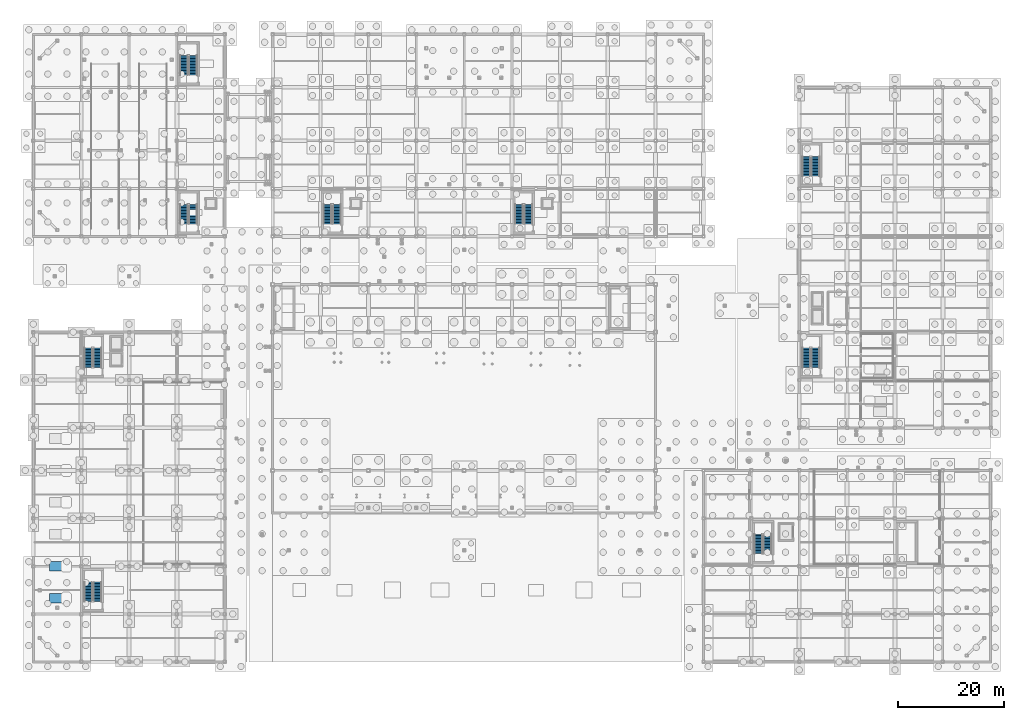
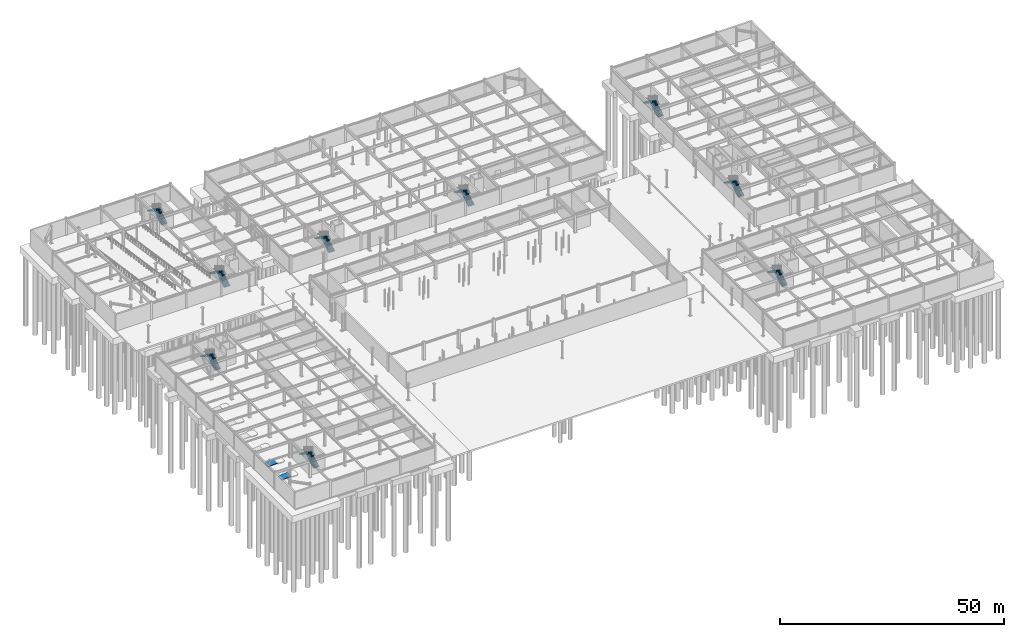
# One storey, part 58 of 74: 18 stair flights, 2 ramp flights, 11 elements without a shape of their own.
"""IFC4 building model written with IfcOpenShell, lengths in metres."""

from ifc_helpers import new_model, si_unit, direction, frame, origin, place, context, subcontext, project, spatial, polyline, outline, extrude, material, layer, layer_set, type_object, element, aggregate, save


model = new_model("IFC4")

# Units and contexts
model_context = context("Model", 3, precision=1e-05, world=origin(), true_north=direction((0.0, 1.0)))
body_context = subcontext(model_context, "Body", "Model", "MODEL_VIEW")
ifc_project = project(units=[si_unit("LENGTHUNIT", "METRE"), si_unit("AREAUNIT", "SQUARE_METRE"), si_unit("VOLUMEUNIT", "CUBIC_METRE"), si_unit("PLANEANGLEUNIT", "RADIAN"), si_unit("MASSUNIT", "GRAM", prefix="KILO")], contexts=[model_context])

# Site, building, storey
site_placement = place(None, origin())
site = spatial("IfcSite", under=ifc_project, at=site_placement, CompositionType="ELEMENT")
building_placement = place(site_placement, origin())
building = spatial("IfcBuilding", under=site, at=building_placement, Name="Suzunagisa Mobility Hub", CompositionType="ELEMENT")
storey_placement = place(building_placement, frame((0.0, 0.0, -4.800048828125)))
storey = spatial("IfcBuildingStorey", under=building, at=storey_placement, Name="B1", CompositionType="ELEMENT", Elevation=-4.800048828125)

# Stair, stair flights
ifc_material_1 = material(Name="Concrete C35/45", Category="concrete")
stair_type_1 = type_object("IfcStairType", Name="Dog-Leg Core Escape Stair ST-01 W1560", PredefinedType="HALF_TURN_STAIR", material=ifc_material_1)
stair_1_placement = place(storey_placement, origin())
stair_1 = element("IfcStair", 1, at=stair_1_placement, inside=storey, type_object=stair_type_1, Name="B1 Core C1 Escape Stair ST-01", PredefinedType="HALF_TURN_STAIR")
stair_flight_type_1 = type_object("IfcStairFlightType", Name="Dog-Leg Core Stair Flight ST-01-F W1560", PredefinedType="STRAIGHT", material=ifc_material_1)
stair_flight_1_placement = place(storey_placement, frame((12.06005859375, 55.360107421875, 0.0), z_axis=(0.0, 0.0, 1.0), x_axis=(0.0, 1.0, 0.0)))
stair_flight_1 = element("IfcStairFlight", 2, at=stair_flight_1_placement, type_object=stair_flight_type_1, Name="ST-01 flight 1", NumberOfRisers=14, NumberOfTreads=13, PredefinedType="STRAIGHT", RiserHeight=0.171428571, TreadLength=0.28, context=body_context, shape_type="SweptSolid", body=[
    extrude(outline(polyline([(0.0, 0.0), (0.0, 0.17138671875), (0.280029296875, 0.17138671875), (0.280029296875, 0.3427734375), (0.56005859375, 0.3427734375), (0.56005859375, 0.514404296875), (0.840087890625, 0.514404296875), (0.840087890625, 0.685791015625), (1.1201171875, 0.685791015625), (1.1201171875, 0.857177734375), (1.39990234375, 0.857177734375), (1.39990234375, 1.028564453125), (1.679931640625, 1.028564453125), (1.679931640625, 1.199951171875), (1.9599609375, 1.199951171875), (1.9599609375, 1.371337890625), (2.239990234375, 1.371337890625), (2.239990234375, 1.54296875), (2.52001953125, 1.54296875), (2.52001953125, 1.71435546875), (2.800048828125, 1.71435546875), (2.800048828125, 1.8857421875), (3.080078125, 1.8857421875), (3.080078125, 2.05712890625), (3.360107421875, 2.05712890625), (3.360107421875, 2.228515625), (3.639892578125, 2.228515625), (3.639892578125, 2.39990234375), (3.639892578125, 2.041015625), (0.30615234375, 0.0), (0.0, 0.0)])), frame((0.0, 0.780029296875, 0.0), z_axis=(0.0, -1.0, 0.0), x_axis=(1.0, 0.0, 0.0)), (0.0, 0.0, 1.0), 1.56005859375),
])
stair_flight_2_placement = place(storey_placement, frame((10.340087890625, 59.0, 2.400146484375), z_axis=(0.0, 0.0, 1.0), x_axis=(0.0, -1.0, 0.0)))
stair_flight_2 = element("IfcStairFlight", 3, at=stair_flight_2_placement, type_object=stair_flight_type_1, Name="ST-01 flight 2", NumberOfRisers=14, NumberOfTreads=13, PredefinedType="STRAIGHT", RiserHeight=0.171428571, TreadLength=0.28, context=body_context, shape_type="SweptSolid", body=[
    extrude(outline(polyline([(0.0, 0.0), (0.0, 0.17138671875), (0.280029296875, 0.17138671875), (0.280029296875, 0.3427734375), (0.56005859375, 0.3427734375), (0.56005859375, 0.514404296875), (0.840087890625, 0.514404296875), (0.840087890625, 0.685791015625), (1.1201171875, 0.685791015625), (1.1201171875, 0.857177734375), (1.39990234375, 0.857177734375), (1.39990234375, 1.028564453125), (1.679931640625, 1.028564453125), (1.679931640625, 1.199951171875), (1.9599609375, 1.199951171875), (1.9599609375, 1.371337890625), (2.239990234375, 1.371337890625), (2.239990234375, 1.54296875), (2.52001953125, 1.54296875), (2.52001953125, 1.71435546875), (2.800048828125, 1.71435546875), (2.800048828125, 1.8857421875), (3.080078125, 1.8857421875), (3.080078125, 2.05712890625), (3.360107421875, 2.05712890625), (3.360107421875, 2.228515625), (3.639892578125, 2.228515625), (3.639892578125, 2.39990234375), (3.639892578125, 2.041015625), (0.30615234375, 0.0), (0.0, 0.0)])), frame((0.0, 0.780029296875, 0.0), z_axis=(0.0, -1.0, 0.0), x_axis=(1.0, 0.0, 0.0)), (0.0, 0.0, 1.0), 1.56005859375),
])
aggregate(stair_1, [stair_flight_1, stair_flight_2])

stair_type_2 = type_object("IfcStairType", Name="Dog-Leg Core Escape Stair ST-02 W1560", PredefinedType="HALF_TURN_STAIR", material=ifc_material_1)
stair_2_placement = place(storey_placement, origin())
stair_2 = element("IfcStair", 4, at=stair_2_placement, inside=storey, type_object=stair_type_2, Name="B1 Core C1B Escape Stair ST-02", PredefinedType="HALF_TURN_STAIR")
stair_flight_type_2 = type_object("IfcStairFlightType", Name="Dog-Leg Core Stair Flight ST-02-F W1560", PredefinedType="STRAIGHT", material=ifc_material_1)
stair_flight_3_placement = place(storey_placement, frame((12.06005859375, 11.360107421875, 0.0), z_axis=(0.0, 0.0, 1.0), x_axis=(0.0, 1.0, 0.0)))
stair_flight_3 = element("IfcStairFlight", 5, at=stair_flight_3_placement, type_object=stair_flight_type_2, Name="ST-02 flight 1", NumberOfRisers=14, NumberOfTreads=13, PredefinedType="STRAIGHT", RiserHeight=0.171428571, TreadLength=0.28, context=body_context, shape_type="SweptSolid", body=[
    extrude(outline(polyline([(0.0, 0.0), (0.0, 0.17138671875), (0.280029296875, 0.17138671875), (0.280029296875, 0.3427734375), (0.56005859375, 0.3427734375), (0.56005859375, 0.514404296875), (0.840087890625, 0.514404296875), (0.840087890625, 0.685791015625), (1.1201171875, 0.685791015625), (1.1201171875, 0.857177734375), (1.39990234375, 0.857177734375), (1.39990234375, 1.028564453125), (1.679931640625, 1.028564453125), (1.679931640625, 1.199951171875), (1.9599609375, 1.199951171875), (1.9599609375, 1.371337890625), (2.239990234375, 1.371337890625), (2.239990234375, 1.54296875), (2.52001953125, 1.54296875), (2.52001953125, 1.71435546875), (2.800048828125, 1.71435546875), (2.800048828125, 1.8857421875), (3.080078125, 1.8857421875), (3.080078125, 2.05712890625), (3.360107421875, 2.05712890625), (3.360107421875, 2.228515625), (3.639892578125, 2.228515625), (3.639892578125, 2.39990234375), (3.639892578125, 2.041015625), (0.30615234375, 0.0), (0.0, 0.0)])), frame((0.0, 0.780029296875, 0.0), z_axis=(0.0, -1.0, 0.0), x_axis=(1.0, 0.0, 0.0)), (0.0, 0.0, 1.0), 1.56005859375),
])
stair_flight_4_placement = place(storey_placement, frame((10.340087890625, 15.0, 2.400146484375), z_axis=(0.0, 0.0, 1.0), x_axis=(0.0, -1.0, 0.0)))
stair_flight_4 = element("IfcStairFlight", 6, at=stair_flight_4_placement, type_object=stair_flight_type_2, Name="ST-02 flight 2", NumberOfRisers=14, NumberOfTreads=13, PredefinedType="STRAIGHT", RiserHeight=0.171428571, TreadLength=0.28, context=body_context, shape_type="SweptSolid", body=[
    extrude(outline(polyline([(0.0, 0.0), (0.0, 0.17138671875), (0.280029296875, 0.17138671875), (0.280029296875, 0.3427734375), (0.56005859375, 0.3427734375), (0.56005859375, 0.514404296875), (0.840087890625, 0.514404296875), (0.840087890625, 0.685791015625), (1.1201171875, 0.685791015625), (1.1201171875, 0.857177734375), (1.39990234375, 0.857177734375), (1.39990234375, 1.028564453125), (1.679931640625, 1.028564453125), (1.679931640625, 1.199951171875), (1.9599609375, 1.199951171875), (1.9599609375, 1.371337890625), (2.239990234375, 1.371337890625), (2.239990234375, 1.54296875), (2.52001953125, 1.54296875), (2.52001953125, 1.71435546875), (2.800048828125, 1.71435546875), (2.800048828125, 1.8857421875), (3.080078125, 1.8857421875), (3.080078125, 2.05712890625), (3.360107421875, 2.05712890625), (3.360107421875, 2.228515625), (3.639892578125, 2.228515625), (3.639892578125, 2.39990234375), (3.639892578125, 2.041015625), (0.30615234375, 0.0), (0.0, 0.0)])), frame((0.0, 0.780029296875, 0.0), z_axis=(0.0, -1.0, 0.0), x_axis=(1.0, 0.0, 0.0)), (0.0, 0.0, 1.0), 1.56005859375),
])
aggregate(stair_2, [stair_flight_3, stair_flight_4])

stair_type_3 = type_object("IfcStairType", Name="Dog-Leg Core Escape Stair ST-05 W1560", PredefinedType="HALF_TURN_STAIR", material=ifc_material_1)
stair_3_placement = place(storey_placement, origin())
stair_3 = element("IfcStair", 7, at=stair_3_placement, inside=storey, type_object=stair_type_3, Name="B1 Core C6 Escape Stair ST-05", PredefinedType="HALF_TURN_STAIR")
stair_flight_type_3 = type_object("IfcStairFlightType", Name="Dog-Leg Core Stair Flight ST-05-F W1560", PredefinedType="STRAIGHT", material=ifc_material_1)
stair_flight_5_placement = place(storey_placement, frame((30.06005859375, 82.360107421875, 0.0), z_axis=(0.0, 0.0, 1.0), x_axis=(0.0, 1.0, 0.0)))
stair_flight_5 = element("IfcStairFlight", 8, at=stair_flight_5_placement, type_object=stair_flight_type_3, Name="ST-05 flight 1", NumberOfRisers=14, NumberOfTreads=13, PredefinedType="STRAIGHT", RiserHeight=0.171428571, TreadLength=0.28, context=body_context, shape_type="SweptSolid", body=[
    extrude(outline(polyline([(0.0, 0.0), (0.0, 0.17138671875), (0.280029296875, 0.17138671875), (0.280029296875, 0.3427734375), (0.56005859375, 0.3427734375), (0.56005859375, 0.514404296875), (0.840087890625, 0.514404296875), (0.840087890625, 0.685791015625), (1.1201171875, 0.685791015625), (1.1201171875, 0.857177734375), (1.39990234375, 0.857177734375), (1.39990234375, 1.028564453125), (1.679931640625, 1.028564453125), (1.679931640625, 1.199951171875), (1.9599609375, 1.199951171875), (1.9599609375, 1.371337890625), (2.239990234375, 1.371337890625), (2.239990234375, 1.54296875), (2.52001953125, 1.54296875), (2.52001953125, 1.71435546875), (2.800048828125, 1.71435546875), (2.800048828125, 1.8857421875), (3.080078125, 1.8857421875), (3.080078125, 2.05712890625), (3.360107421875, 2.05712890625), (3.360107421875, 2.228515625), (3.639892578125, 2.228515625), (3.639892578125, 2.39990234375), (3.639892578125, 2.041015625), (0.30615234375, 0.0), (0.0, 0.0)])), frame((0.0, 0.780029296875, 0.0), z_axis=(0.0, -1.0, 0.0), x_axis=(1.0, 0.0, 0.0)), (0.0, 0.0, 1.0), 1.56005859375),
])
stair_flight_6_placement = place(storey_placement, frame((28.340087890625, 86.0, 2.400146484375), z_axis=(0.0, 0.0, 1.0), x_axis=(0.0, -1.0, 0.0)))
stair_flight_6 = element("IfcStairFlight", 9, at=stair_flight_6_placement, type_object=stair_flight_type_3, Name="ST-05 flight 2", NumberOfRisers=14, NumberOfTreads=13, PredefinedType="STRAIGHT", RiserHeight=0.171428571, TreadLength=0.28, context=body_context, shape_type="SweptSolid", body=[
    extrude(outline(polyline([(0.0, 0.0), (0.0, 0.17138671875), (0.280029296875, 0.17138671875), (0.280029296875, 0.3427734375), (0.56005859375, 0.3427734375), (0.56005859375, 0.514404296875), (0.840087890625, 0.514404296875), (0.840087890625, 0.685791015625), (1.1201171875, 0.685791015625), (1.1201171875, 0.857177734375), (1.39990234375, 0.857177734375), (1.39990234375, 1.028564453125), (1.679931640625, 1.028564453125), (1.679931640625, 1.199951171875), (1.9599609375, 1.199951171875), (1.9599609375, 1.371337890625), (2.239990234375, 1.371337890625), (2.239990234375, 1.54296875), (2.52001953125, 1.54296875), (2.52001953125, 1.71435546875), (2.800048828125, 1.71435546875), (2.800048828125, 1.8857421875), (3.080078125, 1.8857421875), (3.080078125, 2.05712890625), (3.360107421875, 2.05712890625), (3.360107421875, 2.228515625), (3.639892578125, 2.228515625), (3.639892578125, 2.39990234375), (3.639892578125, 2.041015625), (0.30615234375, 0.0), (0.0, 0.0)])), frame((0.0, 0.780029296875, 0.0), z_axis=(0.0, -1.0, 0.0), x_axis=(1.0, 0.0, 0.0)), (0.0, 0.0, 1.0), 1.56005859375),
])
aggregate(stair_3, [stair_flight_5, stair_flight_6])

stair_type_4 = type_object("IfcStairType", Name="Dog-Leg Core Escape Stair ST-06 W1560", PredefinedType="HALF_TURN_STAIR", material=ifc_material_1)
stair_4_placement = place(storey_placement, origin())
stair_4 = element("IfcStair", 10, at=stair_4_placement, inside=storey, type_object=stair_type_4, Name="B1 Core C6B Escape Stair ST-06", PredefinedType="HALF_TURN_STAIR")
stair_flight_type_4 = type_object("IfcStairFlightType", Name="Dog-Leg Core Stair Flight ST-06-F W1560", PredefinedType="STRAIGHT", material=ifc_material_1)
stair_flight_7_placement = place(storey_placement, frame((30.06005859375, 110.360107421875, 0.0), z_axis=(0.0, 0.0, 1.0), x_axis=(0.0, 1.0, 0.0)))
stair_flight_7 = element("IfcStairFlight", 11, at=stair_flight_7_placement, type_object=stair_flight_type_4, Name="ST-06 flight 1", NumberOfRisers=14, NumberOfTreads=13, PredefinedType="STRAIGHT", RiserHeight=0.171428571, TreadLength=0.28, context=body_context, shape_type="SweptSolid", body=[
    extrude(outline(polyline([(0.0, 0.0), (0.0, 0.17138671875), (0.280029296875, 0.17138671875), (0.280029296875, 0.3427734375), (0.56005859375, 0.3427734375), (0.56005859375, 0.514404296875), (0.840087890625, 0.514404296875), (0.840087890625, 0.685791015625), (1.1201171875, 0.685791015625), (1.1201171875, 0.857177734375), (1.39990234375, 0.857177734375), (1.39990234375, 1.028564453125), (1.679931640625, 1.028564453125), (1.679931640625, 1.199951171875), (1.9599609375, 1.199951171875), (1.9599609375, 1.371337890625), (2.239990234375, 1.371337890625), (2.239990234375, 1.54296875), (2.52001953125, 1.54296875), (2.52001953125, 1.71435546875), (2.800048828125, 1.71435546875), (2.800048828125, 1.8857421875), (3.080078125, 1.8857421875), (3.080078125, 2.05712890625), (3.360107421875, 2.05712890625), (3.360107421875, 2.228515625), (3.639892578125, 2.228515625), (3.639892578125, 2.39990234375), (3.639892578125, 2.041015625), (0.30615234375, 0.0), (0.0, 0.0)])), frame((0.0, 0.780029296875, 0.0), z_axis=(0.0, -1.0, 0.0), x_axis=(1.0, 0.0, 0.0)), (0.0, 0.0, 1.0), 1.56005859375),
])
stair_flight_8_placement = place(storey_placement, frame((28.340087890625, 114.0, 2.400146484375), z_axis=(0.0, 0.0, 1.0), x_axis=(0.0, -1.0, 0.0)))
stair_flight_8 = element("IfcStairFlight", 12, at=stair_flight_8_placement, type_object=stair_flight_type_4, Name="ST-06 flight 2", NumberOfRisers=14, NumberOfTreads=13, PredefinedType="STRAIGHT", RiserHeight=0.171428571, TreadLength=0.28, context=body_context, shape_type="SweptSolid", body=[
    extrude(outline(polyline([(0.0, 0.0), (0.0, 0.17138671875), (0.280029296875, 0.17138671875), (0.280029296875, 0.3427734375), (0.56005859375, 0.3427734375), (0.56005859375, 0.514404296875), (0.840087890625, 0.514404296875), (0.840087890625, 0.685791015625), (1.1201171875, 0.685791015625), (1.1201171875, 0.857177734375), (1.39990234375, 0.857177734375), (1.39990234375, 1.028564453125), (1.679931640625, 1.028564453125), (1.679931640625, 1.199951171875), (1.9599609375, 1.199951171875), (1.9599609375, 1.371337890625), (2.239990234375, 1.371337890625), (2.239990234375, 1.54296875), (2.52001953125, 1.54296875), (2.52001953125, 1.71435546875), (2.800048828125, 1.71435546875), (2.800048828125, 1.8857421875), (3.080078125, 1.8857421875), (3.080078125, 2.05712890625), (3.360107421875, 2.05712890625), (3.360107421875, 2.228515625), (3.639892578125, 2.228515625), (3.639892578125, 2.39990234375), (3.639892578125, 2.041015625), (0.30615234375, 0.0), (0.0, 0.0)])), frame((0.0, 0.780029296875, 0.0), z_axis=(0.0, -1.0, 0.0), x_axis=(1.0, 0.0, 0.0)), (0.0, 0.0, 1.0), 1.56005859375),
])
aggregate(stair_4, [stair_flight_7, stair_flight_8])

stair_type_5 = type_object("IfcStairType", Name="Dog-Leg Core Escape Stair ST-07 W1560", PredefinedType="HALF_TURN_STAIR", material=ifc_material_1)
stair_5_placement = place(storey_placement, origin())
stair_5 = element("IfcStair", 13, at=stair_5_placement, inside=storey, type_object=stair_type_5, Name="B1 Core C3 Escape Stair ST-07", PredefinedType="HALF_TURN_STAIR")
stair_flight_type_5 = type_object("IfcStairFlightType", Name="Dog-Leg Core Stair Flight ST-07-F W1560", PredefinedType="STRAIGHT", material=ifc_material_1)
stair_flight_9_placement = place(storey_placement, frame((57.06005859375, 82.360107421875, 0.0), z_axis=(0.0, 0.0, 1.0), x_axis=(0.0, 1.0, 0.0)))
stair_flight_9 = element("IfcStairFlight", 14, at=stair_flight_9_placement, type_object=stair_flight_type_5, Name="ST-07 flight 1", NumberOfRisers=14, NumberOfTreads=13, PredefinedType="STRAIGHT", RiserHeight=0.171428571, TreadLength=0.28, context=body_context, shape_type="SweptSolid", body=[
    extrude(outline(polyline([(0.0, 0.0), (0.0, 0.17138671875), (0.280029296875, 0.17138671875), (0.280029296875, 0.3427734375), (0.56005859375, 0.3427734375), (0.56005859375, 0.514404296875), (0.840087890625, 0.514404296875), (0.840087890625, 0.685791015625), (1.1201171875, 0.685791015625), (1.1201171875, 0.857177734375), (1.39990234375, 0.857177734375), (1.39990234375, 1.028564453125), (1.679931640625, 1.028564453125), (1.679931640625, 1.199951171875), (1.9599609375, 1.199951171875), (1.9599609375, 1.371337890625), (2.239990234375, 1.371337890625), (2.239990234375, 1.54296875), (2.52001953125, 1.54296875), (2.52001953125, 1.71435546875), (2.800048828125, 1.71435546875), (2.800048828125, 1.8857421875), (3.080078125, 1.8857421875), (3.080078125, 2.05712890625), (3.360107421875, 2.05712890625), (3.360107421875, 2.228515625), (3.639892578125, 2.228515625), (3.639892578125, 2.39990234375), (3.639892578125, 2.041015625), (0.30615234375, 0.0), (0.0, 0.0)])), frame((0.0, 0.780029296875, 0.0), z_axis=(0.0, -1.0, 0.0), x_axis=(1.0, 0.0, 0.0)), (0.0, 0.0, 1.0), 1.56005859375),
])
stair_flight_10_placement = place(storey_placement, frame((55.340087890625, 86.0, 2.400146484375), z_axis=(0.0, 0.0, 1.0), x_axis=(0.0, -1.0, 0.0)))
stair_flight_10 = element("IfcStairFlight", 15, at=stair_flight_10_placement, type_object=stair_flight_type_5, Name="ST-07 flight 2", NumberOfRisers=14, NumberOfTreads=13, PredefinedType="STRAIGHT", RiserHeight=0.171428571, TreadLength=0.28, context=body_context, shape_type="SweptSolid", body=[
    extrude(outline(polyline([(0.0, 0.0), (0.0, 0.17138671875), (0.280029296875, 0.17138671875), (0.280029296875, 0.3427734375), (0.56005859375, 0.3427734375), (0.56005859375, 0.514404296875), (0.840087890625, 0.514404296875), (0.840087890625, 0.685791015625), (1.1201171875, 0.685791015625), (1.1201171875, 0.857177734375), (1.39990234375, 0.857177734375), (1.39990234375, 1.028564453125), (1.679931640625, 1.028564453125), (1.679931640625, 1.199951171875), (1.9599609375, 1.199951171875), (1.9599609375, 1.371337890625), (2.239990234375, 1.371337890625), (2.239990234375, 1.54296875), (2.52001953125, 1.54296875), (2.52001953125, 1.71435546875), (2.800048828125, 1.71435546875), (2.800048828125, 1.8857421875), (3.080078125, 1.8857421875), (3.080078125, 2.05712890625), (3.360107421875, 2.05712890625), (3.360107421875, 2.228515625), (3.639892578125, 2.228515625), (3.639892578125, 2.39990234375), (3.639892578125, 2.041015625), (0.30615234375, 0.0), (0.0, 0.0)])), frame((0.0, 0.780029296875, 0.0), z_axis=(0.0, -1.0, 0.0), x_axis=(1.0, 0.0, 0.0)), (0.0, 0.0, 1.0), 1.56005859375),
])
aggregate(stair_5, [stair_flight_9, stair_flight_10])

stair_type_6 = type_object("IfcStairType", Name="Dog-Leg Core Escape Stair ST-08 W1560", PredefinedType="HALF_TURN_STAIR", material=ifc_material_1)
stair_6_placement = place(storey_placement, origin())
stair_6 = element("IfcStair", 16, at=stair_6_placement, inside=storey, type_object=stair_type_6, Name="B1 Core C4 Escape Stair ST-08", PredefinedType="HALF_TURN_STAIR")
stair_flight_type_6 = type_object("IfcStairFlightType", Name="Dog-Leg Core Stair Flight ST-08-F W1560", PredefinedType="STRAIGHT", material=ifc_material_1)
stair_flight_11_placement = place(storey_placement, frame((93.06005859375, 82.360107421875, 0.0), z_axis=(0.0, 0.0, 1.0), x_axis=(0.0, 1.0, 0.0)))
stair_flight_11 = element("IfcStairFlight", 17, at=stair_flight_11_placement, type_object=stair_flight_type_6, Name="ST-08 flight 1", NumberOfRisers=14, NumberOfTreads=13, PredefinedType="STRAIGHT", RiserHeight=0.171428571, TreadLength=0.28, context=body_context, shape_type="SweptSolid", body=[
    extrude(outline(polyline([(0.0, 0.0), (0.0, 0.17138671875), (0.280029296875, 0.17138671875), (0.280029296875, 0.3427734375), (0.56005859375, 0.3427734375), (0.56005859375, 0.514404296875), (0.840087890625, 0.514404296875), (0.840087890625, 0.685791015625), (1.1201171875, 0.685791015625), (1.1201171875, 0.857177734375), (1.39990234375, 0.857177734375), (1.39990234375, 1.028564453125), (1.679931640625, 1.028564453125), (1.679931640625, 1.199951171875), (1.9599609375, 1.199951171875), (1.9599609375, 1.371337890625), (2.239990234375, 1.371337890625), (2.239990234375, 1.54296875), (2.52001953125, 1.54296875), (2.52001953125, 1.71435546875), (2.800048828125, 1.71435546875), (2.800048828125, 1.8857421875), (3.080078125, 1.8857421875), (3.080078125, 2.05712890625), (3.360107421875, 2.05712890625), (3.360107421875, 2.228515625), (3.639892578125, 2.228515625), (3.639892578125, 2.39990234375), (3.639892578125, 2.041015625), (0.30615234375, 0.0), (0.0, 0.0)])), frame((0.0, 0.780029296875, 0.0), z_axis=(0.0, -1.0, 0.0), x_axis=(1.0, 0.0, 0.0)), (0.0, 0.0, 1.0), 1.56005859375),
])
stair_flight_12_placement = place(storey_placement, frame((91.340087890625, 86.0, 2.400146484375), z_axis=(0.0, 0.0, 1.0), x_axis=(0.0, -1.0, 0.0)))
stair_flight_12 = element("IfcStairFlight", 18, at=stair_flight_12_placement, type_object=stair_flight_type_6, Name="ST-08 flight 2", NumberOfRisers=14, NumberOfTreads=13, PredefinedType="STRAIGHT", RiserHeight=0.171428571, TreadLength=0.28, context=body_context, shape_type="SweptSolid", body=[
    extrude(outline(polyline([(0.0, 0.0), (0.0, 0.17138671875), (0.280029296875, 0.17138671875), (0.280029296875, 0.3427734375), (0.56005859375, 0.3427734375), (0.56005859375, 0.514404296875), (0.840087890625, 0.514404296875), (0.840087890625, 0.685791015625), (1.1201171875, 0.685791015625), (1.1201171875, 0.857177734375), (1.39990234375, 0.857177734375), (1.39990234375, 1.028564453125), (1.679931640625, 1.028564453125), (1.679931640625, 1.199951171875), (1.9599609375, 1.199951171875), (1.9599609375, 1.371337890625), (2.239990234375, 1.371337890625), (2.239990234375, 1.54296875), (2.52001953125, 1.54296875), (2.52001953125, 1.71435546875), (2.800048828125, 1.71435546875), (2.800048828125, 1.8857421875), (3.080078125, 1.8857421875), (3.080078125, 2.05712890625), (3.360107421875, 2.05712890625), (3.360107421875, 2.228515625), (3.639892578125, 2.228515625), (3.639892578125, 2.39990234375), (3.639892578125, 2.041015625), (0.30615234375, 0.0), (0.0, 0.0)])), frame((0.0, 0.780029296875, 0.0), z_axis=(0.0, -1.0, 0.0), x_axis=(1.0, 0.0, 0.0)), (0.0, 0.0, 1.0), 1.56005859375),
])
aggregate(stair_6, [stair_flight_11, stair_flight_12])

stair_type_7 = type_object("IfcStairType", Name="Dog-Leg Core Escape Stair ST-09 W1560", PredefinedType="HALF_TURN_STAIR", material=ifc_material_1)
stair_7_placement = place(storey_placement, origin())
stair_7 = element("IfcStair", 19, at=stair_7_placement, inside=storey, type_object=stair_type_7, Name="B1 Core C7 Escape Stair ST-09", PredefinedType="HALF_TURN_STAIR")
stair_flight_type_7 = type_object("IfcStairFlightType", Name="Dog-Leg Core Stair Flight ST-09-F W1560", PredefinedType="STRAIGHT", material=ifc_material_1)
stair_flight_13_placement = place(storey_placement, frame((138.06005859375, 20.360107421875, 0.0), z_axis=(0.0, 0.0, 1.0), x_axis=(0.0, 1.0, 0.0)))
stair_flight_13 = element("IfcStairFlight", 20, at=stair_flight_13_placement, type_object=stair_flight_type_7, Name="ST-09 flight 1", NumberOfRisers=14, NumberOfTreads=13, PredefinedType="STRAIGHT", RiserHeight=0.171428571, TreadLength=0.28, context=body_context, shape_type="SweptSolid", body=[
    extrude(outline(polyline([(0.0, 0.0), (0.0, 0.17138671875), (0.280029296875, 0.17138671875), (0.280029296875, 0.3427734375), (0.56005859375, 0.3427734375), (0.56005859375, 0.514404296875), (0.840087890625, 0.514404296875), (0.840087890625, 0.685791015625), (1.1201171875, 0.685791015625), (1.1201171875, 0.857177734375), (1.39990234375, 0.857177734375), (1.39990234375, 1.028564453125), (1.679931640625, 1.028564453125), (1.679931640625, 1.199951171875), (1.9599609375, 1.199951171875), (1.9599609375, 1.371337890625), (2.239990234375, 1.371337890625), (2.239990234375, 1.54296875), (2.52001953125, 1.54296875), (2.52001953125, 1.71435546875), (2.800048828125, 1.71435546875), (2.800048828125, 1.8857421875), (3.080078125, 1.8857421875), (3.080078125, 2.05712890625), (3.360107421875, 2.05712890625), (3.360107421875, 2.228515625), (3.639892578125, 2.228515625), (3.639892578125, 2.39990234375), (3.639892578125, 2.041015625), (0.30615234375, 0.0), (0.0, 0.0)])), frame((0.0, 0.780029296875, 0.0), z_axis=(0.0, -1.0, 0.0), x_axis=(1.0, 0.0, 0.0)), (0.0, 0.0, 1.0), 1.56005859375),
])
stair_flight_14_placement = place(storey_placement, frame((136.340087890625, 24.0, 2.400146484375), z_axis=(0.0, 0.0, 1.0), x_axis=(0.0, -1.0, 0.0)))
stair_flight_14 = element("IfcStairFlight", 21, at=stair_flight_14_placement, type_object=stair_flight_type_7, Name="ST-09 flight 2", NumberOfRisers=14, NumberOfTreads=13, PredefinedType="STRAIGHT", RiserHeight=0.171428571, TreadLength=0.28, context=body_context, shape_type="SweptSolid", body=[
    extrude(outline(polyline([(0.0, 0.0), (0.0, 0.17138671875), (0.280029296875, 0.17138671875), (0.280029296875, 0.3427734375), (0.56005859375, 0.3427734375), (0.56005859375, 0.514404296875), (0.840087890625, 0.514404296875), (0.840087890625, 0.685791015625), (1.1201171875, 0.685791015625), (1.1201171875, 0.857177734375), (1.39990234375, 0.857177734375), (1.39990234375, 1.028564453125), (1.679931640625, 1.028564453125), (1.679931640625, 1.199951171875), (1.9599609375, 1.199951171875), (1.9599609375, 1.371337890625), (2.239990234375, 1.371337890625), (2.239990234375, 1.54296875), (2.52001953125, 1.54296875), (2.52001953125, 1.71435546875), (2.800048828125, 1.71435546875), (2.800048828125, 1.8857421875), (3.080078125, 1.8857421875), (3.080078125, 2.05712890625), (3.360107421875, 2.05712890625), (3.360107421875, 2.228515625), (3.639892578125, 2.228515625), (3.639892578125, 2.39990234375), (3.639892578125, 2.041015625), (0.30615234375, 0.0), (0.0, 0.0)])), frame((0.0, 0.780029296875, 0.0), z_axis=(0.0, -1.0, 0.0), x_axis=(1.0, 0.0, 0.0)), (0.0, 0.0, 1.0), 1.56005859375),
])
aggregate(stair_7, [stair_flight_13, stair_flight_14])

stair_type_8 = type_object("IfcStairType", Name="Dog-Leg Core Escape Stair ST-11 W1560", PredefinedType="HALF_TURN_STAIR", material=ifc_material_1)
stair_8_placement = place(storey_placement, origin())
stair_8 = element("IfcStair", 22, at=stair_8_placement, inside=storey, type_object=stair_type_8, Name="B1 Core C5 Escape Stair ST-11", PredefinedType="HALF_TURN_STAIR")
stair_flight_type_8 = type_object("IfcStairFlightType", Name="Dog-Leg Core Stair Flight ST-11-F W1560", PredefinedType="STRAIGHT", material=ifc_material_1)
stair_flight_15_placement = place(storey_placement, frame((147.06005859375, 55.360107421875, 0.0), z_axis=(0.0, 0.0, 1.0), x_axis=(0.0, 1.0, 0.0)))
stair_flight_15 = element("IfcStairFlight", 23, at=stair_flight_15_placement, type_object=stair_flight_type_8, Name="ST-11 flight 1", NumberOfRisers=14, NumberOfTreads=13, PredefinedType="STRAIGHT", RiserHeight=0.171428571, TreadLength=0.28, context=body_context, shape_type="SweptSolid", body=[
    extrude(outline(polyline([(0.0, 0.0), (0.0, 0.17138671875), (0.280029296875, 0.17138671875), (0.280029296875, 0.3427734375), (0.56005859375, 0.3427734375), (0.56005859375, 0.514404296875), (0.840087890625, 0.514404296875), (0.840087890625, 0.685791015625), (1.1201171875, 0.685791015625), (1.1201171875, 0.857177734375), (1.39990234375, 0.857177734375), (1.39990234375, 1.028564453125), (1.679931640625, 1.028564453125), (1.679931640625, 1.199951171875), (1.9599609375, 1.199951171875), (1.9599609375, 1.371337890625), (2.239990234375, 1.371337890625), (2.239990234375, 1.54296875), (2.52001953125, 1.54296875), (2.52001953125, 1.71435546875), (2.800048828125, 1.71435546875), (2.800048828125, 1.8857421875), (3.080078125, 1.8857421875), (3.080078125, 2.05712890625), (3.360107421875, 2.05712890625), (3.360107421875, 2.228515625), (3.639892578125, 2.228515625), (3.639892578125, 2.39990234375), (3.639892578125, 2.041015625), (0.30615234375, 0.0), (0.0, 0.0)])), frame((0.0, 0.780029296875, 0.0), z_axis=(0.0, -1.0, 0.0), x_axis=(1.0, 0.0, 0.0)), (0.0, 0.0, 1.0), 1.56005859375),
])
stair_flight_16_placement = place(storey_placement, frame((145.340087890625, 59.0, 2.400146484375), z_axis=(0.0, 0.0, 1.0), x_axis=(0.0, -1.0, 0.0)))
stair_flight_16 = element("IfcStairFlight", 24, at=stair_flight_16_placement, type_object=stair_flight_type_8, Name="ST-11 flight 2", NumberOfRisers=14, NumberOfTreads=13, PredefinedType="STRAIGHT", RiserHeight=0.171428571, TreadLength=0.28, context=body_context, shape_type="SweptSolid", body=[
    extrude(outline(polyline([(0.0, 0.0), (0.0, 0.17138671875), (0.280029296875, 0.17138671875), (0.280029296875, 0.3427734375), (0.56005859375, 0.3427734375), (0.56005859375, 0.514404296875), (0.840087890625, 0.514404296875), (0.840087890625, 0.685791015625), (1.1201171875, 0.685791015625), (1.1201171875, 0.857177734375), (1.39990234375, 0.857177734375), (1.39990234375, 1.028564453125), (1.679931640625, 1.028564453125), (1.679931640625, 1.199951171875), (1.9599609375, 1.199951171875), (1.9599609375, 1.371337890625), (2.239990234375, 1.371337890625), (2.239990234375, 1.54296875), (2.52001953125, 1.54296875), (2.52001953125, 1.71435546875), (2.800048828125, 1.71435546875), (2.800048828125, 1.8857421875), (3.080078125, 1.8857421875), (3.080078125, 2.05712890625), (3.360107421875, 2.05712890625), (3.360107421875, 2.228515625), (3.639892578125, 2.228515625), (3.639892578125, 2.39990234375), (3.639892578125, 2.041015625), (0.30615234375, 0.0), (0.0, 0.0)])), frame((0.0, 0.780029296875, 0.0), z_axis=(0.0, -1.0, 0.0), x_axis=(1.0, 0.0, 0.0)), (0.0, 0.0, 1.0), 1.56005859375),
])
aggregate(stair_8, [stair_flight_15, stair_flight_16])

stair_type_9 = type_object("IfcStairType", Name="Dog-Leg Core Escape Stair ST-12 W1560", PredefinedType="HALF_TURN_STAIR", material=ifc_material_1)
stair_9_placement = place(storey_placement, origin())
stair_9 = element("IfcStair", 25, at=stair_9_placement, inside=storey, type_object=stair_type_9, Name="B1 Core C5B Escape Stair ST-12", PredefinedType="HALF_TURN_STAIR")
stair_flight_type_9 = type_object("IfcStairFlightType", Name="Dog-Leg Core Stair Flight ST-12-F W1560", PredefinedType="STRAIGHT", material=ifc_material_1)
stair_flight_17_placement = place(storey_placement, frame((147.06005859375, 91.360107421875, 0.0), z_axis=(0.0, 0.0, 1.0), x_axis=(0.0, 1.0, 0.0)))
stair_flight_17 = element("IfcStairFlight", 26, at=stair_flight_17_placement, type_object=stair_flight_type_9, Name="ST-12 flight 1", NumberOfRisers=14, NumberOfTreads=13, PredefinedType="STRAIGHT", RiserHeight=0.171428571, TreadLength=0.28, context=body_context, shape_type="SweptSolid", body=[
    extrude(outline(polyline([(0.0, 0.0), (0.0, 0.17138671875), (0.280029296875, 0.17138671875), (0.280029296875, 0.3427734375), (0.56005859375, 0.3427734375), (0.56005859375, 0.514404296875), (0.840087890625, 0.514404296875), (0.840087890625, 0.685791015625), (1.1201171875, 0.685791015625), (1.1201171875, 0.857177734375), (1.39990234375, 0.857177734375), (1.39990234375, 1.028564453125), (1.679931640625, 1.028564453125), (1.679931640625, 1.199951171875), (1.9599609375, 1.199951171875), (1.9599609375, 1.371337890625), (2.239990234375, 1.371337890625), (2.239990234375, 1.54296875), (2.52001953125, 1.54296875), (2.52001953125, 1.71435546875), (2.800048828125, 1.71435546875), (2.800048828125, 1.8857421875), (3.080078125, 1.8857421875), (3.080078125, 2.05712890625), (3.360107421875, 2.05712890625), (3.360107421875, 2.228515625), (3.639892578125, 2.228515625), (3.639892578125, 2.39990234375), (3.639892578125, 2.041015625), (0.30615234375, 0.0), (0.0, 0.0)])), frame((0.0, 0.780029296875, 0.0), z_axis=(0.0, -1.0, 0.0), x_axis=(1.0, 0.0, 0.0)), (0.0, 0.0, 1.0), 1.56005859375),
])
stair_flight_18_placement = place(storey_placement, frame((145.340087890625, 95.0, 2.400146484375), z_axis=(0.0, 0.0, 1.0), x_axis=(0.0, -1.0, 0.0)))
stair_flight_18 = element("IfcStairFlight", 27, at=stair_flight_18_placement, type_object=stair_flight_type_9, Name="ST-12 flight 2", NumberOfRisers=14, NumberOfTreads=13, PredefinedType="STRAIGHT", RiserHeight=0.171428571, TreadLength=0.28, context=body_context, shape_type="SweptSolid", body=[
    extrude(outline(polyline([(0.0, 0.0), (0.0, 0.17138671875), (0.280029296875, 0.17138671875), (0.280029296875, 0.3427734375), (0.56005859375, 0.3427734375), (0.56005859375, 0.514404296875), (0.840087890625, 0.514404296875), (0.840087890625, 0.685791015625), (1.1201171875, 0.685791015625), (1.1201171875, 0.857177734375), (1.39990234375, 0.857177734375), (1.39990234375, 1.028564453125), (1.679931640625, 1.028564453125), (1.679931640625, 1.199951171875), (1.9599609375, 1.199951171875), (1.9599609375, 1.371337890625), (2.239990234375, 1.371337890625), (2.239990234375, 1.54296875), (2.52001953125, 1.54296875), (2.52001953125, 1.71435546875), (2.800048828125, 1.71435546875), (2.800048828125, 1.8857421875), (3.080078125, 1.8857421875), (3.080078125, 2.05712890625), (3.360107421875, 2.05712890625), (3.360107421875, 2.228515625), (3.639892578125, 2.228515625), (3.639892578125, 2.39990234375), (3.639892578125, 2.041015625), (0.30615234375, 0.0), (0.0, 0.0)])), frame((0.0, 0.780029296875, 0.0), z_axis=(0.0, -1.0, 0.0), x_axis=(1.0, 0.0, 0.0)), (0.0, 0.0, 1.0), 1.56005859375),
])
aggregate(stair_9, [stair_flight_17, stair_flight_18])

# Ramp, ramp flight
ifc_material_2 = material(Name="Concrete C30/37", Category="concrete")
ramp_type = type_object("IfcRampType", Name="Barrier-Free Pedestrian Ramp PR-STR", PredefinedType="STRAIGHT_RUN_RAMP", material=ifc_material_2)
ramp_1_placement = place(storey_placement, origin())
ramp_1 = element("IfcRamp", 28, at=ramp_1_placement, inside=storey, type_object=ramp_type, Name="Barrier-Free Cycle Vault Threshold Ramp PR-01", PredefinedType="STRAIGHT_RUN_RAMP")
ifc_layer = layer(ifc_material_2, 0.199951171875)
ifc_layer_set = layer_set([ifc_layer], Name="Concrete C30/37")
ramp_flight_type = type_object("IfcRampFlightType", Name="Barrier-Free Ramp Flight PRF-01", PredefinedType="STRAIGHT", material=ifc_layer_set)
ramp_flight_1_placement = place(storey_placement, frame((3.0, 12.0, 0.0), z_axis=(0.0, 0.0, 1.0), x_axis=(1.0, 0.0, 0.0)))
ramp_flight_1 = element("IfcRampFlight", 29, at=ramp_flight_1_placement, type_object=ramp_flight_type, Name="Barrier-Free Ramp Flight PR-01-F1", PredefinedType="STRAIGHT", context=body_context, shape_type="SweptSolid", body=[
    extrude(outline(polyline([(0.0, 0.0), (2.39990234375, 0.199951171875), (2.39990234375, 0.0), (0.0, -0.199951171875), (0.0, 0.0)])), frame((0.0, 0.89990234375, 0.0), z_axis=(0.0, -1.0, 0.0), x_axis=(1.0, 0.0, 0.0)), (0.0, 0.0, 1.0), 1.800048828125),
])
aggregate(ramp_1, [ramp_flight_1])

ramp_2_placement = place(storey_placement, origin())
ramp_2 = element("IfcRamp", 30, at=ramp_2_placement, inside=storey, type_object=ramp_type, Name="Barrier-Free Cycle Vault Threshold Ramp PR-02", PredefinedType="STRAIGHT_RUN_RAMP")
ramp_flight_2_placement = place(storey_placement, frame((3.0, 18.0, 0.0), z_axis=(0.0, 0.0, 1.0), x_axis=(1.0, 0.0, 0.0)))
ramp_flight_2 = element("IfcRampFlight", 31, at=ramp_flight_2_placement, type_object=ramp_flight_type, Name="Barrier-Free Ramp Flight PR-02-F1", PredefinedType="STRAIGHT", context=body_context, shape_type="SweptSolid", body=[
    extrude(outline(polyline([(0.0, 0.0), (2.39990234375, 0.199951171875), (2.39990234375, 0.0), (0.0, -0.199951171875), (0.0, 0.0)])), frame((0.0, 0.89990234375, 0.0), z_axis=(0.0, -1.0, 0.0), x_axis=(1.0, 0.0, 0.0)), (0.0, 0.0, 1.0), 1.800048828125),
])
aggregate(ramp_2, [ramp_flight_2])

save(model, "model.ifc")
